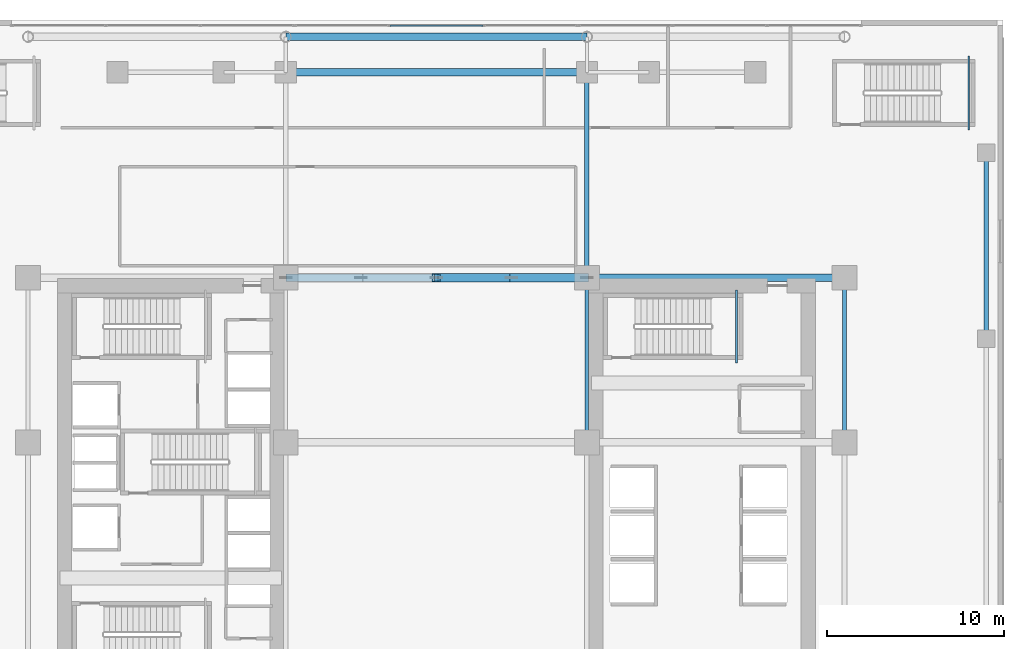
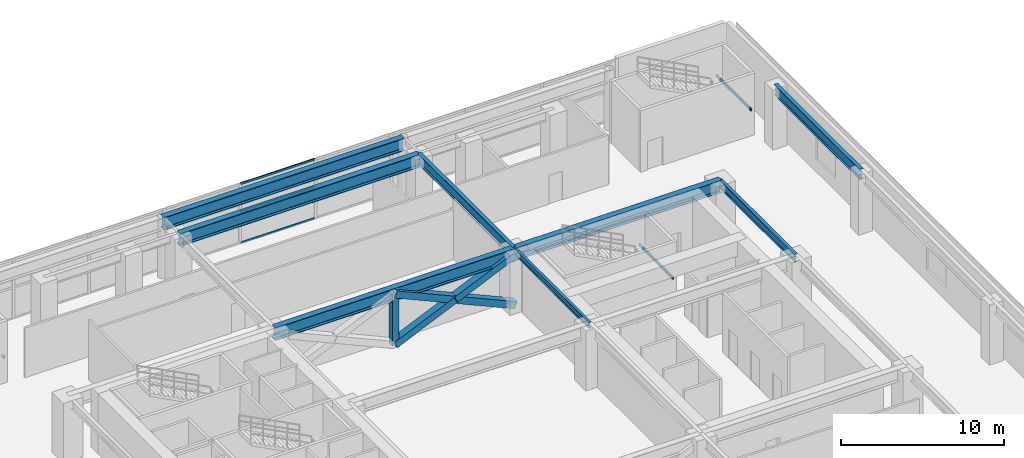
# One storey, part 14 of 28: 10 beams, 7 members, 1 element without a shape of its own.
"""IFC4 building model written with IfcOpenShell, lengths in metres."""

from ifc_helpers import new_model, si_unit, direction, frame, origin, origin_2d, place, context, subcontext, project, spatial, hollow_rectangle, i_section, extrude, source, transform, mapped, material, layer, layer_set, material_profile, profile_set, type_object, element, aggregate, save


model = new_model("IFC4")

# Units and contexts
model_context = context("Model", 3, precision=1e-05, world=origin(), true_north=direction((0.0, 1.0)))
body_context = subcontext(model_context, "Body", "Model", "MODEL_VIEW")
ifc_project = project(units=[si_unit("LENGTHUNIT", "METRE"), si_unit("AREAUNIT", "SQUARE_METRE"), si_unit("VOLUMEUNIT", "CUBIC_METRE"), si_unit("PLANEANGLEUNIT", "RADIAN"), si_unit("MASSUNIT", "GRAM", prefix="KILO")], contexts=[model_context])

# Site, building, storey
site_placement = place(None, origin())
site = spatial("IfcSite", under=ifc_project, at=site_placement, CompositionType="ELEMENT")
building_placement = place(site_placement, origin())
building = spatial("IfcBuilding", under=site, at=building_placement, Name="Ocotamira Hotel", CompositionType="ELEMENT")
storey_placement = place(building_placement, frame((0.0, 0.0, 24.0)))
storey = spatial("IfcBuildingStorey", under=building, at=storey_placement, Name="L05", CompositionType="ELEMENT", Elevation=24.0)

# Beams
ifc_material_1 = material(Name="Steel ASTM A500 Grade C", Category="steel")
ifc_material_profile_1 = material_profile(ifc_material_1, hollow_rectangle(XDim=0.10009765625, YDim=0.199951171875, WallThickness=0.008056640625, at=origin_2d()), Name="HSS200X100X8")
ifc_profile_set_1 = profile_set([ifc_material_profile_1], Name="Steel ASTM A500 Grade C")
beam_type_1 = type_object("IfcBeamType", Name="BM-STLDG-HSS200", PredefinedType="BEAM", material=ifc_profile_set_1)
shared_shape_1 = source(origin(), body_context, "Body", "SweptSolid", [
    extrude(hollow_rectangle(XDim=0.10009765625, YDim=0.199951171875, WallThickness=0.008056640625, at=origin_2d()), origin(), (0.0, 0.0, 1.0), 4.1201171875),
])
beam_1_placement = place(storey_placement, frame((48.949951171875, 32.6298828125, 2.10009765625), z_axis=(0.0, 1.0, 0.0), x_axis=(-1.0, 0.0, 0.0)))
element("IfcBeam", 1, at=beam_1_placement, inside=storey, type_object=beam_type_1, Name="L05 Stair ST-4 Landing Bearer 1", PredefinedType="BEAM", context=body_context, shape_type="MappedRepresentation", body=[
    mapped(shared_shape_1, transform((0.0, 0.0, 0.0), scale=1.0)),
])
shared_shape_2 = source(origin(), body_context, "Body", "SweptSolid", [
    extrude(hollow_rectangle(XDim=0.10009765625, YDim=0.199951171875, WallThickness=0.008056640625, at=origin_2d()), origin(), (0.0, 0.0, 1.0), 4.199951171875),
])
beam_2_placement = place(storey_placement, frame((62.06005859375, 45.780029296875, 2.10009765625), z_axis=(0.0, 1.0, 0.0), x_axis=(-1.0, 0.0, 0.0)))
element("IfcBeam", 2, at=beam_2_placement, inside=storey, type_object=beam_type_1, Name="L05 Stair ST-6 Landing Bearer 1", PredefinedType="BEAM", context=body_context, shape_type="MappedRepresentation", body=[
    mapped(shared_shape_2, transform((0.0, 0.0, 0.0), scale=1.0)),
])
ifc_material_2 = material(Name="Steel ASTM A992 Grade 50", Category="steel")
ifc_material_profile_2 = material_profile(ifc_material_2, i_section(OverallWidth=0.41796875, OverallDepth=0.927001953125, WebThickness=0.019287109375, FlangeThickness=0.031982421875, FilletRadius=0.02392578125, at=origin_2d()), Name="W36X231")
ifc_profile_set_2 = profile_set([ifc_material_profile_2], Name="Steel ASTM A992 Grade 50")
beam_type_2 = type_object("IfcBeamType", Name="BM-GIRD-W36X231", PredefinedType="BEAM", material=ifc_profile_set_2)
shared_shape_3 = source(origin(), body_context, "Body", "SweptSolid", [
    extrude(i_section(OverallWidth=0.41796875, OverallDepth=0.927001953125, WebThickness=0.019287109375, FlangeThickness=0.031982421875, FilletRadius=0.02392578125, at=origin_2d()), origin(), (0.0, 0.0, 1.0), 14.550048828125),
])
beam_3_placement = place(storey_placement, frame((40.5, 37.449951171875, 4.0166015625), z_axis=(1.0, 0.0, 0.0), x_axis=(0.0, 1.0, 0.0)))
element("IfcBeam", 3, at=beam_3_placement, inside=storey, type_object=beam_type_2, Name="L05 Girder Y37.45 X40.5-55.05", PredefinedType="BEAM", context=body_context, shape_type="MappedRepresentation", body=[
    mapped(shared_shape_3, transform((0.0, 0.0, 0.0), scale=1.0)),
])
ifc_material_profile_3 = material_profile(ifc_material_2, i_section(OverallWidth=0.26611328125, OverallDepth=0.779052734375, WebThickness=0.0166015625, FlangeThickness=0.030029296875, FilletRadius=0.01806640625, at=origin_2d()), Name="W30X148")
ifc_profile_set_3 = profile_set([ifc_material_profile_3], Name="Steel ASTM A992 Grade 50")
beam_type_3 = type_object("IfcBeamType", Name="BM-GIRD-W30X148", PredefinedType="BEAM", material=ifc_profile_set_3)
shared_shape_4 = source(origin(), body_context, "Body", "SweptSolid", [
    extrude(i_section(OverallWidth=0.26611328125, OverallDepth=0.779052734375, WebThickness=0.0166015625, FlangeThickness=0.030029296875, FilletRadius=0.01806640625, at=origin_2d()), origin(), (0.0, 0.0, 1.0), 10.5),
])
beam_4_placement = place(storey_placement, frame((63.050048828125, 34.0, 4.090576171875), z_axis=(0.0, 1.0, 0.0), x_axis=(-1.0, 0.0, 0.0)))
element("IfcBeam", 4, at=beam_4_placement, inside=storey, type_object=beam_type_3, Name="L05 Beam X63.05 Y34-44.5", PredefinedType="BEAM", context=body_context, shape_type="MappedRepresentation", body=[
    mapped(shared_shape_4, transform((0.0, 0.0, 0.0), scale=1.0)),
])
ifc_material_profile_4 = material_profile(ifc_material_2, i_section(OverallWidth=0.22998046875, OverallDepth=0.616943359375, WebThickness=0.01318359375, FlangeThickness=0.022216796875, FilletRadius=0.012939453125, at=origin_2d()), Name="W24X94")
ifc_profile_set_4 = profile_set([ifc_material_profile_4], Name="Steel ASTM A992 Grade 50")
beam_type_4 = type_object("IfcBeamType", Name="BM-PRIM-W24X94", PredefinedType="BEAM", material=ifc_profile_set_4)
shared_shape_5 = source(origin(), body_context, "Body", "SweptSolid", [
    extrude(i_section(OverallWidth=0.22998046875, OverallDepth=0.616943359375, WebThickness=0.01318359375, FlangeThickness=0.022216796875, FilletRadius=0.012939453125, at=origin_2d()), origin(), (0.0, 0.0, 1.0), 9.300048828125),
])
beam_5_placement = place(storey_placement, frame((55.050048828125, 28.14990234375, 4.17138671875), z_axis=(0.0, 1.0, 0.0), x_axis=(-1.0, 0.0, 0.0)))
element("IfcBeam", 5, at=beam_5_placement, inside=storey, type_object=beam_type_4, Name="L05 Beam X55.05 Y28.15-37.45", PredefinedType="BEAM", context=body_context, shape_type="MappedRepresentation", body=[
    mapped(shared_shape_5, transform((0.0, 0.0, 0.0), scale=1.0)),
])
shared_shape_6 = source(origin(), body_context, "Body", "SweptSolid", [
    extrude(i_section(OverallWidth=0.26611328125, OverallDepth=0.779052734375, WebThickness=0.0166015625, FlangeThickness=0.030029296875, FilletRadius=0.01806640625, at=origin_2d()), origin(), (0.0, 0.0, 1.0), 11.60009765625),
])
beam_6_placement = place(storey_placement, frame((40.5, 37.449951171875, 4.090576171875), z_axis=(0.0, 1.0, 0.0), x_axis=(-1.0, 0.0, 0.0)))
element("IfcBeam", 6, at=beam_6_placement, inside=storey, type_object=beam_type_3, Name="L05 Beam X40.5 Y37.45-49.05", PredefinedType="BEAM", context=body_context, shape_type="MappedRepresentation", body=[
    mapped(shared_shape_6, transform((0.0, 0.0, 0.0), scale=1.0)),
])
ifc_material_profile_5 = material_profile(ifc_material_2, i_section(OverallWidth=0.18994140625, OverallDepth=0.45703125, WebThickness=0.009033203125, FlangeThickness=0.014404296875, FilletRadius=0.010009765625, at=origin_2d()), Name="W18X50")
ifc_profile_set_5 = profile_set([ifc_material_profile_5], Name="Steel ASTM A992 Grade 50")
beam_type_5 = type_object("IfcBeamType", Name="BM-SEC-W18X50", PredefinedType="JOIST", material=ifc_profile_set_5)
shared_shape_7 = source(origin(), body_context, "Body", "SweptSolid", [
    extrude(i_section(OverallWidth=0.18994140625, OverallDepth=0.45703125, WebThickness=0.009033203125, FlangeThickness=0.014404296875, FilletRadius=0.010009765625, at=origin_2d()), origin(), (0.0, 0.0, 1.0), 9.300048828125),
])
beam_7_placement = place(storey_placement, frame((40.5, 28.14990234375, 4.25146484375), z_axis=(0.0, 1.0, 0.0), x_axis=(-1.0, 0.0, 0.0)))
element("IfcBeam", 7, at=beam_7_placement, inside=storey, type_object=beam_type_5, Name="L05 Beam X40.5 Y28.15-37.45", PredefinedType="JOIST", context=body_context, shape_type="MappedRepresentation", body=[
    mapped(shared_shape_7, transform((0.0, 0.0, 0.0), scale=1.0)),
])
ifc_material_3 = material(Name="Steel ASTM A913 Grade 65", Category="steel")
ifc_material_profile_6 = material_profile(ifc_material_3, i_section(OverallWidth=0.423095703125, OverallDepth=0.947998046875, WebThickness=0.02392578125, FlangeThickness=0.042724609375, FilletRadius=0.02392578125, at=origin_2d()), Name="W36X302")
ifc_profile_set_6 = profile_set([ifc_material_profile_6], Name="Steel ASTM A913 Grade 65")
beam_type_6 = type_object("IfcBeamType", Name="BM-TRUSS-W36X302", PredefinedType="BEAM", material=ifc_profile_set_6)
shared_shape_8 = source(origin(), body_context, "Body", "SweptSolid", [
    extrude(i_section(OverallWidth=0.423095703125, OverallDepth=0.947998046875, WebThickness=0.02392578125, FlangeThickness=0.042724609375, FilletRadius=0.02392578125, at=origin_2d()), origin(), (0.0, 0.0, 1.0), 17.0),
])
for number, where, z_axis, x_axis, name in (
    (8, (23.5, 37.449951171875, 4.006103515625), (1.0, 0.0, 0.0), (0.0, 1.0, 0.0), "L05 Girder Y37.45 X23.5-40.5"),
    (9, (23.5, 49.050048828125, 4.006103515625), (1.0, 0.0, 0.0), (0.0, 1.0, 0.0), "L05 Girder Y49.05 X23.5-40.5"),
    (10, (23.5, 51.050048828125, 4.006103515625), (1.0, 0.0, 0.0), (0.0, 1.0, 0.0), "L05 Girder Y51.05 X23.5-40.5"),
):
    element("IfcBeam", number, at=place(storey_placement, frame(where, z_axis=z_axis, x_axis=x_axis)), inside=storey, type_object=beam_type_6, Name=name, PredefinedType="BEAM", context=body_context, shape_type="MappedRepresentation", body=[
        mapped(shared_shape_8, transform((0.0, 0.0, 0.0), scale=1.0)),
    ])

# Members
ifc_material_profile_7 = material_profile(ifc_material_3, hollow_rectangle(XDim=0.449951171875, YDim=0.449951171875, WallThickness=0.01611328125, at=origin_2d()), Name="HSS450X450X16")
ifc_profile_set_7 = profile_set([ifc_material_profile_7], Name="Steel ASTM A913 Grade 65")
member_type_1 = type_object("IfcMemberType", Name="MEM-POST-HSS450", PredefinedType="POST", material=ifc_profile_set_7)
shared_shape_9 = source(origin(), body_context, "Body", "SweptSolid", [
    extrude(hollow_rectangle(XDim=0.449951171875, YDim=0.449951171875, WallThickness=0.01611328125, at=origin_2d()), origin(), (0.0, 0.0, 1.0), 3.780029296875),
])
member_1_placement = place(storey_placement, frame((32.0, 37.449951171875, 0.25), z_axis=(0.0, 0.0, 1.0), x_axis=(1.0, 0.0, 0.0)))
element("IfcMember", 11, at=member_1_placement, inside=storey, type_object=member_type_1, Name="L05 Portal Transfer Truss Post Y37.45", PredefinedType="POST", context=body_context, shape_type="MappedRepresentation", body=[
    mapped(shared_shape_9, transform((0.0, 0.0, 0.0), scale=1.0)),
])
ifc_material_profile_8 = material_profile(ifc_material_3, hollow_rectangle(XDim=0.5, YDim=0.5, WallThickness=0.02001953125, at=origin_2d()), Name="HSS500X500X20")
ifc_profile_set_8 = profile_set([ifc_material_profile_8], Name="Steel ASTM A913 Grade 65")
member_type_2 = type_object("IfcMemberType", Name="MEM-OUT-HSS500", PredefinedType="BRACE", material=ifc_profile_set_8)
shared_shape_10 = source(origin(), body_context, "Body", "SweptSolid", [
    extrude(hollow_rectangle(XDim=0.5, YDim=0.5, WallThickness=0.02001953125, at=origin_2d()), origin(), (0.0, 0.0, 1.0), 9.302734375),
])
member_2_placement = place(storey_placement, frame((32.0, 37.449951171875, 4.030029296875), z_axis=(0.913721700404, 0.0, -0.40634056432), x_axis=(0.0, 1.0, 0.0)))
element("IfcMember", 12, at=member_2_placement, inside=storey, type_object=member_type_2, Name="L05 Portal Transfer Truss Diagonal Y37.45-2", PredefinedType="BRACE", context=body_context, shape_type="MappedRepresentation", body=[
    mapped(shared_shape_10, transform((0.0, 0.0, 0.0), scale=1.0)),
])
shared_shape_11 = source(origin(), body_context, "Body", "SweptSolid", [
    extrude(hollow_rectangle(XDim=0.5, YDim=0.5, WallThickness=0.02001953125, at=origin_2d()), origin(), (0.0, 0.0, 1.0), 4.63134765625),
])
for number, where, z_axis, x_axis, name in (
    (13, (32.0, 37.449951171875, 0.25), (0.913724573626, 0.0, 0.406334103358), (0.0, 1.0, 0.0), "L05 Portal Transfer Truss Diagonal Y37.45-4 Lower Half"),
    (14, (36.268310546875, 37.449951171875, 2.148193359375), (0.913724573626, 0.0, 0.406334103358), (0.0, 1.0, 0.0), "L05 Portal Transfer Truss Diagonal Y37.45-4 Upper Half"),
):
    element("IfcMember", number, at=place(storey_placement, frame(where, z_axis=z_axis, x_axis=x_axis)), inside=storey, type_object=member_type_2, Name=name, PredefinedType="BRACE", context=body_context, shape_type="MappedRepresentation", body=[
        mapped(shared_shape_11, transform((0.0, 0.0, 0.0), scale=1.0)),
    ])

# Curtain wall, members
ifc_material_4 = material(Name="Anodised pale-metal aluminium and solar glass", Category="aluminium")
ifc_layer = layer(ifc_material_4, 0.219970703125)
ifc_layer_set = layer_set([ifc_layer], Name="Anodised pale-metal aluminium and solar glass")
curtain_wall_type = type_object("IfcCurtainWallType", Name="CW-SYS1-POD", PredefinedType="NOTDEFINED", material=ifc_layer_set)
curtain_wall_placement = place(storey_placement, origin())
curtain_wall = element("IfcCurtainWall", 15, at=curtain_wall_placement, inside=storey, type_object=curtain_wall_type, Name="L05 Curtain Wall CW-1 CW-L05-N2", PredefinedType="NOTDEFINED")
ifc_material_5 = material(Name="Anodised pale-metal aluminium 6063-T6", Category="aluminium")
ifc_material_profile_9 = material_profile(ifc_material_5, hollow_rectangle(XDim=0.074951171875, YDim=0.14990234375, WallThickness=0.006103515625, at=origin_2d()), Name="HSS150X75X6")
ifc_profile_set_9 = profile_set([ifc_material_profile_9], Name="Anodised pale-metal aluminium 6063-T6")
member_type_3 = type_object("IfcMemberType", Name="CWT-150X75", PredefinedType="USERDEFINED", material=ifc_profile_set_9)
shared_shape_12 = source(origin(), body_context, "Body", "SweptSolid", [
    extrude(hollow_rectangle(XDim=0.074951171875, YDim=0.14990234375, WallThickness=0.006103515625, at=origin_2d()), origin(), (0.0, 0.0, 1.0), 5.25341796875),
])
member_3_placement = place(storey_placement, frame((29.373291015625, 51.679931640625, 0.03759765625), z_axis=(1.0, 0.0, 0.0), x_axis=(0.0, 1.0, 0.0)))
member_3 = element("IfcMember", 16, at=member_3_placement, type_object=member_type_3, Name="CW-1 transom 2.1", ObjectType="TRANSOM", PredefinedType="USERDEFINED", context=body_context, shape_type="MappedRepresentation", body=[
    mapped(shared_shape_12, transform((0.0, 0.0, 0.0), scale=1.0)),
])
member_4_placement = place(storey_placement, frame((29.373291015625, 51.679931640625, 2.35009765625), z_axis=(1.0, 0.0, 0.0), x_axis=(0.0, 1.0, 0.0)))
member_4 = element("IfcMember", 17, at=member_4_placement, type_object=member_type_3, Name="CW-1 transom 2.2", ObjectType="TRANSOM", PredefinedType="USERDEFINED", context=body_context, shape_type="MappedRepresentation", body=[
    mapped(shared_shape_12, transform((0.0, 0.0, 0.0), scale=1.0)),
])
member_5_placement = place(storey_placement, frame((29.373291015625, 51.679931640625, 4.4423828125), z_axis=(1.0, 0.0, 0.0), x_axis=(0.0, 1.0, 0.0)))
member_5 = element("IfcMember", 18, at=member_5_placement, type_object=member_type_3, Name="CW-1 transom 2.3", ObjectType="TRANSOM", PredefinedType="USERDEFINED", context=body_context, shape_type="MappedRepresentation", body=[
    mapped(shared_shape_12, transform((0.0, 0.0, 0.0), scale=1.0)),
])
aggregate(curtain_wall, [member_3, member_4, member_5])

save(model, "model.ifc")
